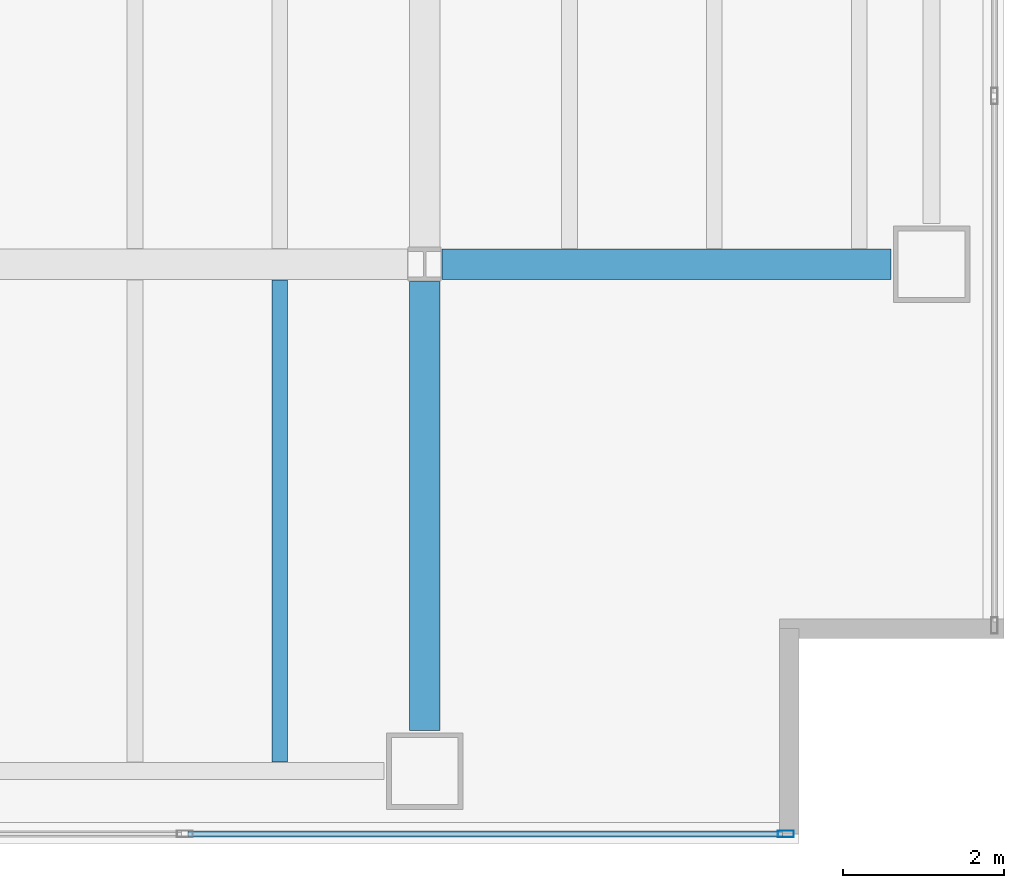
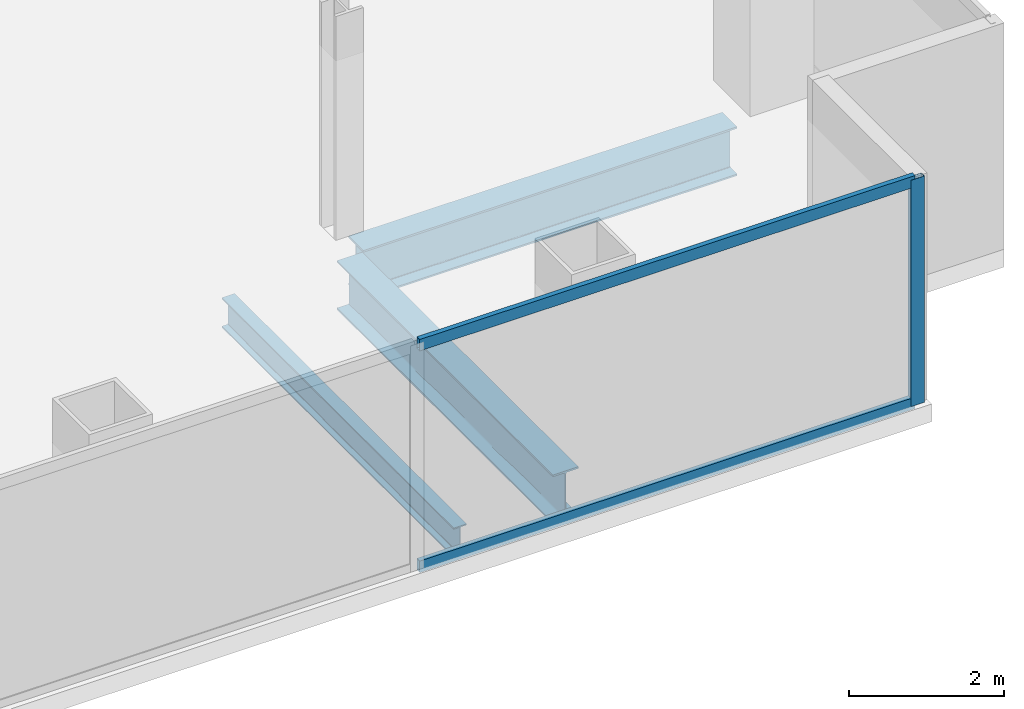
# One storey, part 8 of 24: 3 beams, 3 members, 1 element without a shape of its own.
"""IFC4 building model written with IfcOpenShell, lengths in metres."""

from ifc_helpers import new_model, si_unit, direction, frame, origin, origin_2d, place, context, subcontext, project, spatial, hollow_rectangle, i_section, extrude, material, material_profile, profile_set, type_object, element, aggregate, save


model = new_model("IFC4")

# Units and contexts
model_context = context("Model", 3, precision=1e-05, world=origin(), true_north=direction((0.0, 1.0)))
body_context = subcontext(model_context, "Body", "Model", "MODEL_VIEW")
ifc_project = project(units=[si_unit("LENGTHUNIT", "METRE"), si_unit("AREAUNIT", "SQUARE_METRE"), si_unit("VOLUMEUNIT", "CUBIC_METRE"), si_unit("PLANEANGLEUNIT", "RADIAN"), si_unit("MASSUNIT", "GRAM", prefix="KILO")], contexts=[model_context])

# Site, building, storey
site_placement = place(None, origin())
site = spatial("IfcSite", under=ifc_project, at=site_placement, CompositionType="ELEMENT")
building_placement = place(site_placement, origin())
building = spatial("IfcBuilding", under=site, at=building_placement, Name="Cobrela Telecom Tower", CompositionType="ELEMENT")
storey_placement = place(building_placement, frame((0.0, 0.0, 77.35009765625)))
storey = spatial("IfcBuildingStorey", under=building, at=storey_placement, Name="L19", CompositionType="ELEMENT", Elevation=77.35009765625)

# Beams
ifc_material_1 = material(Name="Steel ASTM A992 Grade 50", Category="steel")
ifc_material_profile_1 = material_profile(ifc_material_1, i_section(OverallWidth=0.381103515625, OverallDepth=0.77197265625, WebThickness=0.0166015625, FlangeThickness=0.027099609375, FilletRadius=0.01904296875, at=origin_2d()), Name="W30X173")
ifc_profile_set_1 = profile_set([ifc_material_profile_1], Name="Steel ASTM A992 Grade 50")
beam_type_1 = type_object("IfcBeamType", Name="BM-GIRD-04", PredefinedType="USERDEFINED", material=ifc_profile_set_1)
beam_1_placement = place(storey_placement, frame((43.416015625, 7.199951171875, -0.666015625), z_axis=(1.0, 0.0, 0.0), x_axis=(0.0, 1.0, 0.0)))
element("IfcBeam", 1, at=beam_1_placement, inside=storey, type_object=beam_type_1, Name="L19 Primary Girder X12", ObjectType="GIRDER", PredefinedType="USERDEFINED", context=body_context, shape_type="SweptSolid", body=[
    extrude(i_section(OverallWidth=0.381103515625, OverallDepth=0.77197265625, WebThickness=0.0166015625, FlangeThickness=0.027099609375, FilletRadius=0.01904296875, at=origin_2d()), origin(), (0.0, 0.0, 1.0), 5.5791015625),
])
beam_2_placement = place(storey_placement, frame((43.199951171875, 1.405029296875, -0.666015625), z_axis=(0.0, 1.0, 0.0), x_axis=(-1.0, 0.0, 0.0)))
element("IfcBeam", 2, at=beam_2_placement, inside=storey, type_object=beam_type_1, Name="L19 Primary Girder Y53", ObjectType="GIRDER", PredefinedType="USERDEFINED", context=body_context, shape_type="SweptSolid", body=[
    extrude(i_section(OverallWidth=0.381103515625, OverallDepth=0.77197265625, WebThickness=0.0166015625, FlangeThickness=0.027099609375, FilletRadius=0.01904296875, at=origin_2d()), origin(), (0.0, 0.0, 1.0), 5.578857421875),
])
ifc_material_profile_2 = material_profile(ifc_material_1, i_section(OverallWidth=0.193115234375, OverallDepth=0.467041015625, WebThickness=0.011474609375, FlangeThickness=0.01904296875, FilletRadius=0.012939453125, at=origin_2d()), Name="W18X65")
ifc_profile_set_2 = profile_set([ifc_material_profile_2], Name="Steel ASTM A992 Grade 50")
beam_type_2 = type_object("IfcBeamType", Name="BM-JOIST-03", PredefinedType="JOIST", material=ifc_profile_set_2)
beam_3_placement = place(storey_placement, frame((41.39990234375, 1.011474609375, -0.513671875), z_axis=(0.0, 1.0, 0.0), x_axis=(-1.0, 0.0, 0.0)))
element("IfcBeam", 3, at=beam_3_placement, inside=storey, type_object=beam_type_2, Name="L19 Secondary Composite Floor Beam J56", PredefinedType="JOIST", context=body_context, shape_type="SweptSolid", body=[
    extrude(i_section(OverallWidth=0.193115234375, OverallDepth=0.467041015625, WebThickness=0.011474609375, FlangeThickness=0.01904296875, FilletRadius=0.012939453125, at=origin_2d()), origin(), (0.0, 0.0, 1.0), 5.992919921875),
])

# Curtain wall, members
ifc_material_2 = material(Name="Anodized Bronze Aluminium 6063-T6", Category="aluminium")
curtain_wall_type = type_object("IfcCurtainWallType", Name="CW-SYS-DATA", PredefinedType="USERDEFINED", material=ifc_material_2)
curtain_wall_placement = place(storey_placement, origin())
curtain_wall = element("IfcCurtainWall", 4, at=curtain_wall_placement, inside=storey, type_object=curtain_wall_type, Name="L19 Unitised Bronze Curtain Wall 17", ObjectType="UNITISED CURTAIN WALL", PredefinedType="USERDEFINED")
ifc_material_profile_3 = material_profile(ifc_material_2, hollow_rectangle(XDim=0.080078125, YDim=0.199951171875, WallThickness=0.00390625, at=origin_2d()), Name="ALU 80x200x4")
ifc_profile_set_3 = profile_set([ifc_material_profile_3], Name="Anodized Bronze Aluminium 6063-T6")
member_type_1 = type_object("IfcMemberType", Name="CW-SYS-DATA-MUL", PredefinedType="MULLION", material=ifc_profile_set_3)
member_1_placement = place(storey_placement, frame((47.68994140625, 0.1201171875, 0.0), z_axis=(0.0, 0.0, 1.0), x_axis=(0.0, -1.0, 0.0)))
member_1 = element("IfcMember", 5, at=member_1_placement, type_object=member_type_1, Name="CW-DATA mullion 1", PredefinedType="MULLION", context=body_context, shape_type="SweptSolid", body=[
    extrude(hollow_rectangle(XDim=0.080078125, YDim=0.199951171875, WallThickness=0.00390625, at=origin_2d()), origin(), (0.0, 0.0, 1.0), 3.56982421875),
])
ifc_material_profile_4 = material_profile(ifc_material_2, hollow_rectangle(XDim=0.074951171875, YDim=0.179931640625, WallThickness=0.00390625, at=origin_2d()), Name="ALU 75x180x4")
ifc_profile_set_4 = profile_set([ifc_material_profile_4], Name="Anodized Bronze Aluminium 6063-T6")
member_type_2 = type_object("IfcMemberType", Name="CW-SYS-DATA-TRN", PredefinedType="USERDEFINED", material=ifc_profile_set_4)
member_2_placement = place(storey_placement, frame((47.64990234375, 0.1201171875, 0.037353515625), z_axis=(-1.0, 0.0, 0.0), x_axis=(0.0, -1.0, 0.0)))
member_2 = element("IfcMember", 6, at=member_2_placement, type_object=member_type_2, Name="CW-DATA transom 1.1", ObjectType="TRANSOM", PredefinedType="USERDEFINED", context=body_context, shape_type="SweptSolid", body=[
    extrude(hollow_rectangle(XDim=0.074951171875, YDim=0.179931640625, WallThickness=0.00390625, at=origin_2d()), origin(), (0.0, 0.0, 1.0), 7.389892578125),
])
member_3_placement = place(storey_placement, frame((47.64990234375, 0.1201171875, 3.532470703125), z_axis=(-1.0, 0.0, 0.0), x_axis=(0.0, -1.0, 0.0)))
member_3 = element("IfcMember", 7, at=member_3_placement, type_object=member_type_2, Name="CW-DATA transom 1.2", ObjectType="TRANSOM", PredefinedType="USERDEFINED", context=body_context, shape_type="SweptSolid", body=[
    extrude(hollow_rectangle(XDim=0.074951171875, YDim=0.179931640625, WallThickness=0.00390625, at=origin_2d()), origin(), (0.0, 0.0, 1.0), 7.389892578125),
])
aggregate(curtain_wall, [member_1, member_2, member_3])

save(model, "model.ifc")
